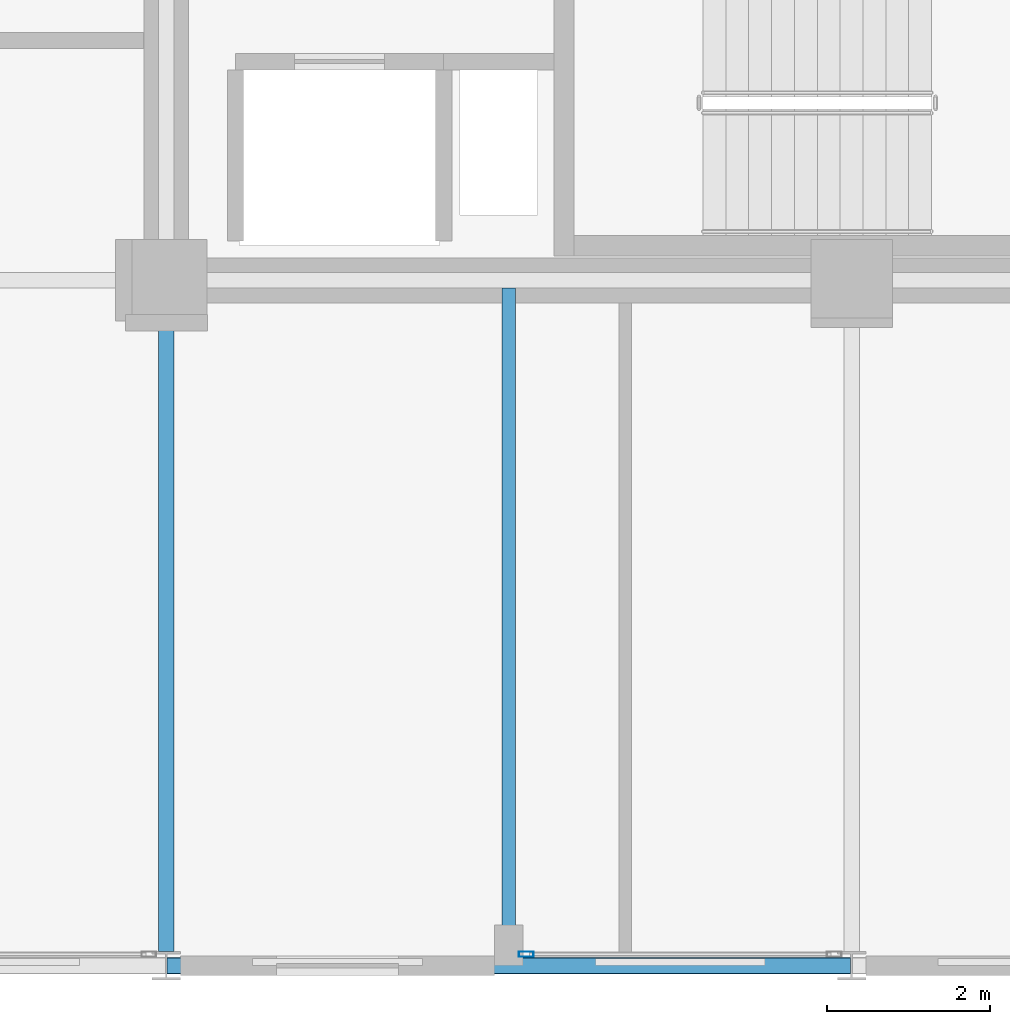
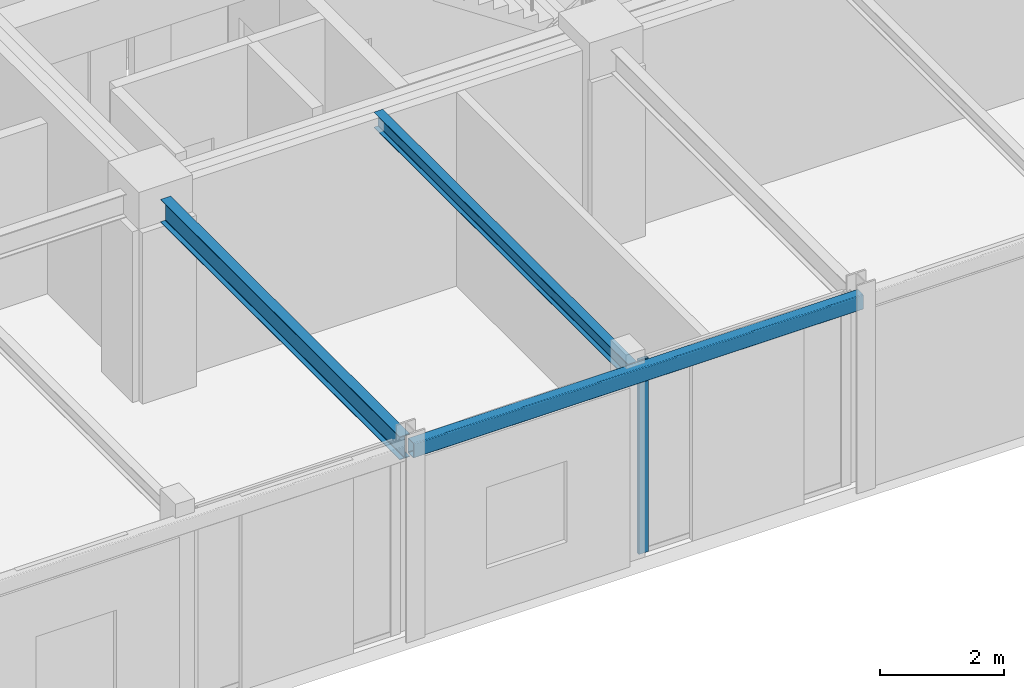
# One storey, part 7 of 29: 3 beams, 1 member, 1 element without a shape of its own.
"""IFC4 building model written with IfcOpenShell, lengths in metres."""

from ifc_helpers import new_model, si_unit, direction, frame, origin, origin_2d, place, context, subcontext, project, spatial, hollow_rectangle, i_section, extrude, material, layer, layer_set, material_profile, profile_set, type_object, element, aggregate, save


model = new_model("IFC4")

# Units and contexts
model_context = context("Model", 3, precision=1e-05, world=origin(), true_north=direction((0.0, 1.0)))
body_context = subcontext(model_context, "Body", "Model", "MODEL_VIEW")
ifc_project = project(units=[si_unit("LENGTHUNIT", "METRE"), si_unit("AREAUNIT", "SQUARE_METRE"), si_unit("VOLUMEUNIT", "CUBIC_METRE"), si_unit("PLANEANGLEUNIT", "RADIAN"), si_unit("MASSUNIT", "GRAM", prefix="KILO")], contexts=[model_context])

# Site, building, storey
site_placement = place(None, origin())
site = spatial("IfcSite", under=ifc_project, at=site_placement, CompositionType="ELEMENT")
building_placement = place(site_placement, origin())
building = spatial("IfcBuilding", under=site, at=building_placement, Name="Nerrivon Quay Data Exchange", CompositionType="ELEMENT")
storey_placement = place(building_placement, frame((0.0, 0.0, 200.10009765625)))
storey = spatial("IfcBuildingStorey", under=building, at=storey_placement, Name="L47", CompositionType="ELEMENT", Elevation=200.10009765625)

# Beams
ifc_material_1 = material(Name="Steel Grade 350", Category="steel")
ifc_material_profile_1 = material_profile(ifc_material_1, i_section(OverallWidth=0.18994140625, OverallDepth=0.4541015625, WebThickness=0.008544921875, FlangeThickness=0.0126953125, FilletRadius=0.011474609375, at=origin_2d()), Name="460UB67.1")
ifc_profile_set_1 = profile_set([ifc_material_profile_1], Name="Steel Grade 350")
beam_type_1 = type_object("IfcBeamType", Name="BM-G6-460UB67", PredefinedType="BEAM", material=ifc_profile_set_1)
beam_1_placement = place(storey_placement, frame((16.800048828125, 0.175048828125, 3.597900390625), z_axis=(0.0, 1.0, 0.0), x_axis=(-1.0, 0.0, 0.0)))
element("IfcBeam", 1, at=beam_1_placement, inside=storey, type_object=beam_type_1, Name="L47 NS Girder X=16.8 (0.0..8.4)", PredefinedType="BEAM", context=body_context, shape_type="SweptSolid", body=[
    extrude(i_section(OverallWidth=0.18994140625, OverallDepth=0.4541015625, WebThickness=0.008544921875, FlangeThickness=0.0126953125, FilletRadius=0.011474609375, at=origin_2d()), origin(), (0.0, 0.0, 1.0), 7.724853515625),
])
ifc_material_profile_2 = material_profile(ifc_material_1, i_section(OverallWidth=0.166015625, OverallDepth=0.306884765625, WebThickness=0.006591796875, FlangeThickness=0.01171875, FilletRadius=0.011474609375, at=origin_2d()), Name="310UB46.2")
ifc_profile_set_2 = profile_set([ifc_material_profile_2], Name="Steel Grade 350")
beam_type_2 = type_object("IfcBeamType", Name="BM-J5-310UB46", PredefinedType="JOIST", material=ifc_profile_set_2)
beam_2_placement = place(storey_placement, frame((21.0, 0.10009765625, 3.67138671875), z_axis=(0.0, 1.0, 0.0), x_axis=(-1.0, 0.0, 0.0)))
element("IfcBeam", 2, at=beam_2_placement, inside=storey, type_object=beam_type_2, Name="L47 Secondary Joist X=21.0 (0.0..8.4)", PredefinedType="JOIST", context=body_context, shape_type="SweptSolid", body=[
    extrude(i_section(OverallWidth=0.166015625, OverallDepth=0.306884765625, WebThickness=0.006591796875, FlangeThickness=0.01171875, FilletRadius=0.011474609375, at=origin_2d()), origin(), (0.0, 0.0, 1.0), 8.204345703125),
])
ifc_material_2 = material(Name="Steel Grade C350L0 (350 MPa)", Category="steel")
ifc_material_profile_3 = material_profile(ifc_material_2, hollow_rectangle(XDim=0.199951171875, YDim=0.300048828125, WallThickness=0.012451171875, InnerFilletRadius=0.018798828125, OuterFilletRadius=0.03125, at=origin_2d()), Name="300x200x12.5RHS")
ifc_profile_set_3 = profile_set([ifc_material_profile_3], Name="Steel Grade C350L0 (350 MPa)")
beam_type_3 = type_object("IfcBeamType", Name="BM-SP3-300x200RHS", PredefinedType="SPANDREL", material=ifc_profile_set_3)
beam_3_placement = place(storey_placement, frame((16.81005859375, 0.0, 3.6748046875), z_axis=(1.0, 0.0, 0.0), x_axis=(0.0, 1.0, 0.0)))
element("IfcBeam", 3, at=beam_3_placement, inside=storey, type_object=beam_type_3, Name="L47 EW Girder Y=0.0 (16.8..25.2)", PredefinedType="SPANDREL", context=body_context, shape_type="SweptSolid", body=[
    extrude(hollow_rectangle(XDim=0.199951171875, YDim=0.300048828125, WallThickness=0.012451171875, InnerFilletRadius=0.018798828125, OuterFilletRadius=0.03125, at=origin_2d()), origin(), (0.0, 0.0, 1.0), 8.3798828125),
])

# Curtain wall, member
ifc_material_3 = material(Name="Anodised aluminium 6063-T6", Category="aluminium")
ifc_layer = layer(ifc_material_3, 0.195068359375)
ifc_layer_set = layer_set([ifc_layer], Name="Anodised aluminium 6063-T6")
curtain_wall_type = type_object("IfcCurtainWallType", Name="CW-SYS-06", PredefinedType="NOTDEFINED", material=ifc_layer_set)
curtain_wall_placement = place(storey_placement, origin())
curtain_wall = element("IfcCurtainWall", 4, at=curtain_wall_placement, inside=storey, type_object=curtain_wall_type, Name="L47 Unitised Curtain Wall 24", PredefinedType="NOTDEFINED")
ifc_material_profile_4 = material_profile(ifc_material_3, hollow_rectangle(XDim=0.06494140625, YDim=0.179931640625, WallThickness=0.00341796875, at=origin_2d()), Name="ALU-MULL-180x65")
ifc_profile_set_4 = profile_set([ifc_material_profile_4], Name="Anodised aluminium 6063-T6")
member_type = type_object("IfcMemberType", Name="CWM-180x65", PredefinedType="MULLION", material=ifc_profile_set_4)
member_placement = place(storey_placement, frame((21.21240234375, 0.139892578125, 0.0), z_axis=(0.0, 0.0, 1.0), x_axis=(0.0, -1.0, 0.0)))
member = element("IfcMember", 5, at=member_placement, type_object=member_type, Name="CW06 mullion 2", PredefinedType="MULLION", context=body_context, shape_type="SweptSolid", body=[
    extrude(hollow_rectangle(XDim=0.06494140625, YDim=0.179931640625, WallThickness=0.00341796875, at=origin_2d()), origin(), (0.0, 0.0, 1.0), 3.824951171875),
])
aggregate(curtain_wall, [member])

save(model, "model.ifc")
